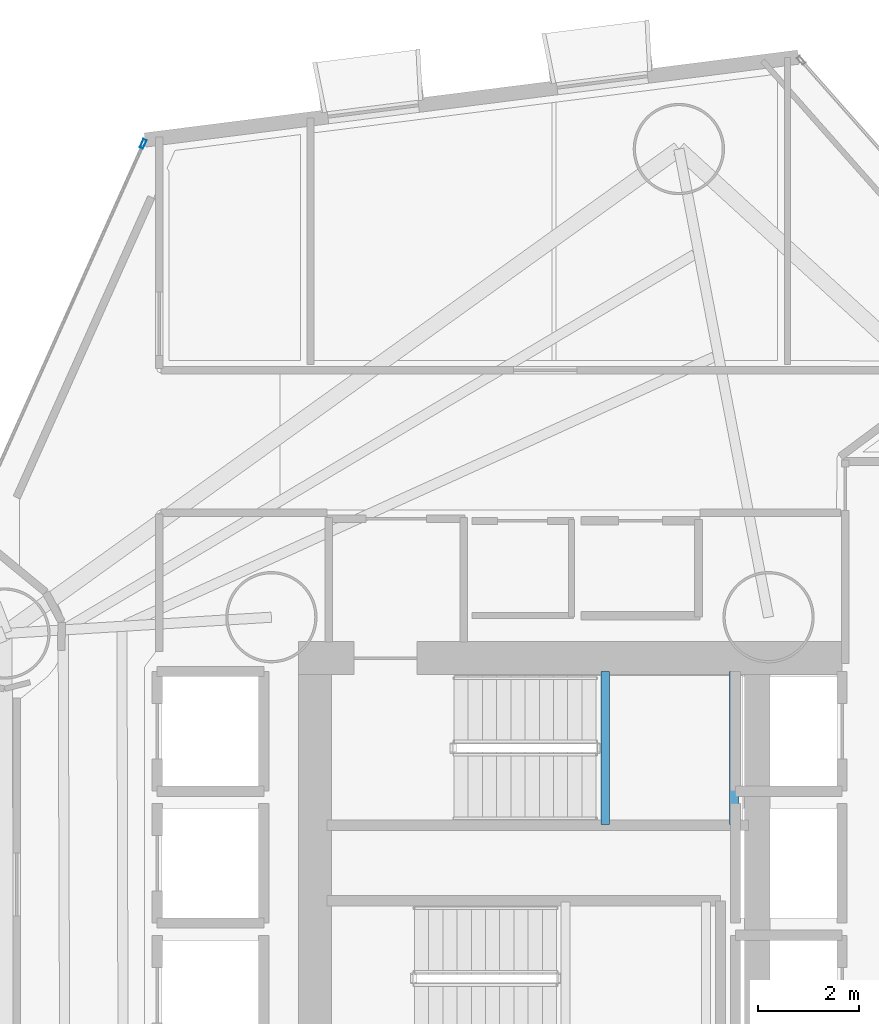
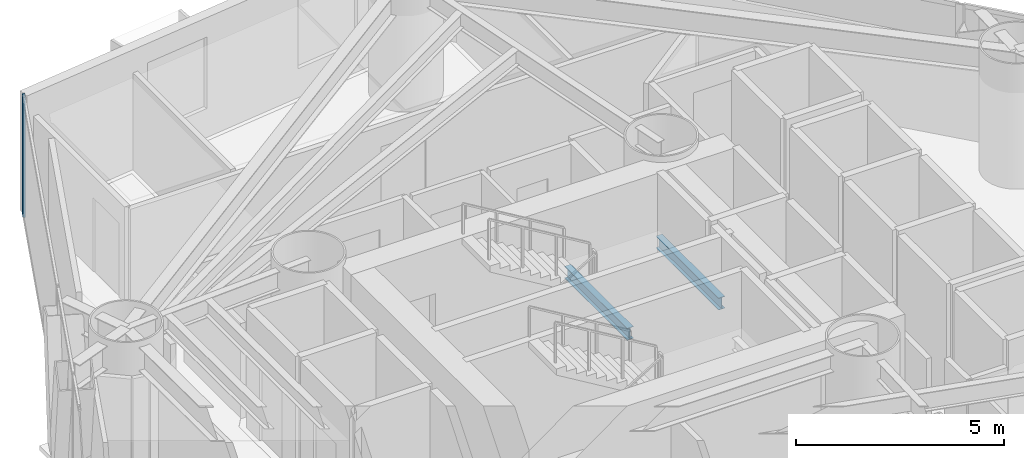
# One storey, part 9 of 22: 2 beams, 1 member, 1 element without a shape of its own.
"""IFC4 building model written with IfcOpenShell, lengths in metres."""

from ifc_helpers import new_model, si_unit, direction, frame, origin, origin_2d, place, context, subcontext, project, spatial, hollow_rectangle, i_section, extrude, material, layer, layer_set, material_profile, profile_set, type_object, element, aggregate, save


model = new_model("IFC4")

# Units and contexts
model_context = context("Model", 3, precision=1e-05, world=origin(), true_north=direction((0.0, 1.0)))
body_context = subcontext(model_context, "Body", "Model", "MODEL_VIEW")
ifc_project = project(units=[si_unit("LENGTHUNIT", "METRE"), si_unit("AREAUNIT", "SQUARE_METRE"), si_unit("VOLUMEUNIT", "CUBIC_METRE"), si_unit("PLANEANGLEUNIT", "RADIAN"), si_unit("MASSUNIT", "GRAM", prefix="KILO")], contexts=[model_context])

# Site, building, storey
site_placement = place(None, origin())
site = spatial("IfcSite", under=ifc_project, at=site_placement, CompositionType="ELEMENT")
building_placement = place(site_placement, origin())
building = spatial("IfcBuilding", under=site, at=building_placement, Name="Qianvela Tower", CompositionType="ELEMENT")
storey_placement = place(building_placement, frame((0.0, 0.0, 40.5)))
storey = spatial("IfcBuildingStorey", under=building, at=storey_placement, Name="L09", CompositionType="ELEMENT", Elevation=40.5)

# Beams
ifc_material_1 = material(Name="Steel Q355B", Category="steel")
ifc_material_profile_1 = material_profile(ifc_material_1, i_section(OverallWidth=0.175048828125, OverallDepth=0.35009765625, WebThickness=0.007080078125, FlangeThickness=0.010986328125, at=origin_2d()), Name="HN350x175x7x11")
ifc_profile_set_1 = profile_set([ifc_material_profile_1], Name="Steel Q355B")
beam_type = type_object("IfcBeamType", Name="BM-HN350-JOIST", PredefinedType="JOIST", material=ifc_profile_set_1)
for number, where, z_axis, x_axis, name in (
    (1, (35.179931640625, 29.4599609375, 1.47509765625), (0.0, 1.0, 0.0), (-1.0, 0.0, 0.0), "L09 Stair ST-1 Landing Support Beam 1.1"),
    (2, (37.719970703125, 29.4599609375, 1.47509765625), (0.0, 1.0, 0.0), (-1.0, 0.0, 0.0), "L09 Stair ST-1 Landing Support Beam 1.2"),
):
    element("IfcBeam", number, at=place(storey_placement, frame(where, z_axis=z_axis, x_axis=x_axis)), inside=storey, type_object=beam_type, Name=name, PredefinedType="JOIST", context=body_context, shape_type="SweptSolid", body=[
        extrude(i_section(OverallWidth=0.175048828125, OverallDepth=0.35009765625, WebThickness=0.007080078125, FlangeThickness=0.010986328125, at=origin_2d()), origin(), (0.0, 0.0, 1.0), 3.02001953125),
    ])

# Curtain wall, member
ifc_material_2 = material(Name="Anodised Architectural Aluminium and Low-E Glass", Category="aluminium")
ifc_layer = layer(ifc_material_2, 0.179931640625)
ifc_layer_set = layer_set([ifc_layer], Name="Anodised Architectural Aluminium and Low-E Glass")
curtain_wall_type = type_object("IfcCurtainWallType", Name="CW-COLIV-Z12", PredefinedType="USERDEFINED", material=ifc_layer_set)
curtain_wall_placement = place(storey_placement, origin())
curtain_wall = element("IfcCurtainWall", 3, at=curtain_wall_placement, inside=storey, type_object=curtain_wall_type, Name="L09 CW-COLIV-Z12 Curtain Wall 04A", ObjectType="CURTAIN_WALL_SYSTEM", PredefinedType="USERDEFINED")
ifc_material_3 = material(Name="Anodised Architectural Aluminium 6063-T6", Category="aluminium")
ifc_material_profile_2 = material_profile(ifc_material_3, hollow_rectangle(XDim=0.070068359375, YDim=0.179931640625, WallThickness=0.0048828125, at=origin_2d()), Name="ALU-MULL-70x180")
ifc_profile_set_2 = profile_set([ifc_material_profile_2], Name="Anodised Architectural Aluminium 6063-T6")
member_type = type_object("IfcMemberType", Name="CW-COLIV-Z12-MULL", PredefinedType="MULLION", material=ifc_profile_set_2)
member_placement = place(storey_placement, frame((26.073974609375, 42.8798828125, 0.0), z_axis=(0.0, 0.0, 1.0), x_axis=(0.912406293338, -0.409285665371, 0.0)))
member = element("IfcMember", 4, at=member_placement, type_object=member_type, Name="CW-3 mullion 1", PredefinedType="MULLION", context=body_context, shape_type="SweptSolid", body=[
    extrude(hollow_rectangle(XDim=0.070068359375, YDim=0.179931640625, WallThickness=0.0048828125, at=origin_2d()), origin(), (0.0, 0.0, 1.0), 3.52001953125),
])
aggregate(curtain_wall, [member])

save(model, "model.ifc")
